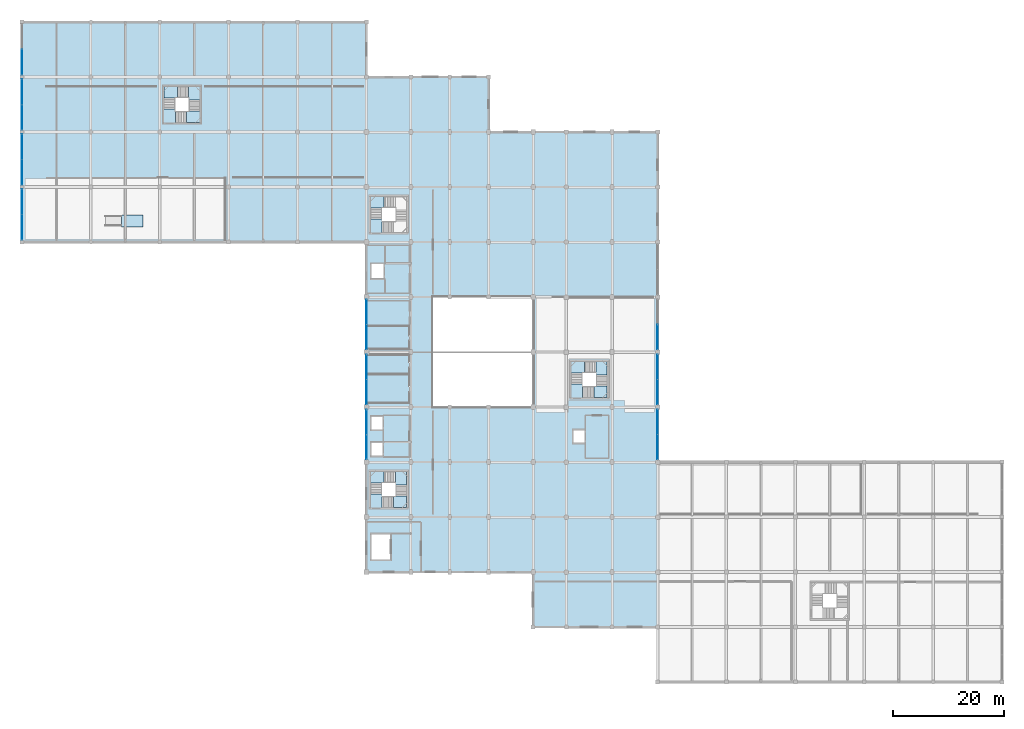
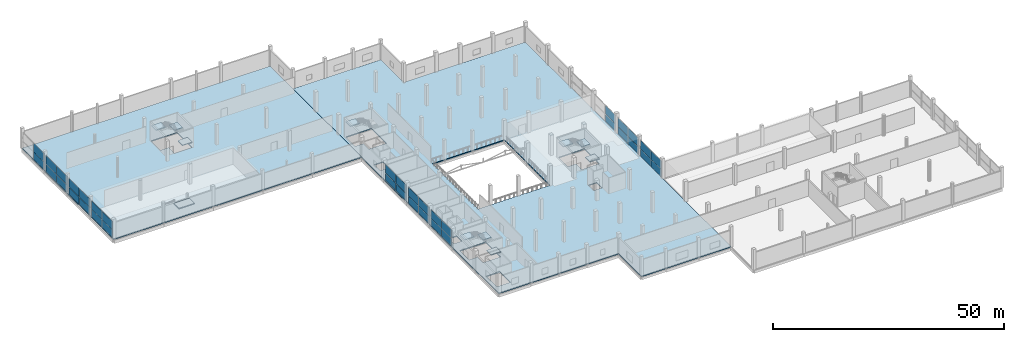
# One storey, part 41 of 74: 36 plates, 13 slabs, 14 elements without a shape of their own.
"""IFC4 building model written with IfcOpenShell, lengths in metres."""

from ifc_helpers import new_model, si_unit, direction, frame, origin, origin_2d, place, context, subcontext, project, spatial, polyline, rectangle, outline, extrude, material, layer, layer_set, type_object, element, aggregate, save


model = new_model("IFC4")

# Units and contexts
model_context = context("Model", 3, precision=1e-05, world=origin(), true_north=direction((0.0, 1.0)))
body_context = subcontext(model_context, "Body", "Model", "MODEL_VIEW")
ifc_project = project(units=[si_unit("LENGTHUNIT", "METRE"), si_unit("AREAUNIT", "SQUARE_METRE"), si_unit("VOLUMEUNIT", "CUBIC_METRE"), si_unit("PLANEANGLEUNIT", "RADIAN"), si_unit("MASSUNIT", "GRAM", prefix="KILO")], contexts=[model_context])

# Site, building, storey
site_placement = place(None, origin())
site = spatial("IfcSite", under=ifc_project, at=site_placement, CompositionType="ELEMENT")
building_placement = place(site_placement, origin())
building = spatial("IfcBuilding", under=site, at=building_placement, Name="Sillaruma Civic Art Gallery", CompositionType="ELEMENT")
storey_placement = place(building_placement, frame((0.0, 0.0, 5.43994140625)))
storey = spatial("IfcBuildingStorey", under=building, at=storey_placement, Name="L01", CompositionType="ELEMENT", Elevation=5.43994140625)

# Curtain wall, plates
ifc_material_1 = material(Name="Thermally Broken Extruded Aluminium 6063-T6", Category="aluminium")
ifc_layer_1 = layer(ifc_material_1, 0.139892578125, Name="Thermally Broken Extruded Aluminium 6063-T6")
ifc_layer_set_1 = layer_set([ifc_layer_1], Name="Thermally Broken Extruded Aluminium 6063-T6")
curtain_wall_type_1 = type_object("IfcCurtainWallType", Name="CW-UNI-08", PredefinedType="NOTDEFINED", material=ifc_layer_set_1)
curtain_wall_1_placement = place(storey_placement, origin())
curtain_wall_1 = element("IfcCurtainWall", 1, at=curtain_wall_1_placement, inside=storey, type_object=curtain_wall_type_1, Name="Unitised Curtain Wall CW-08 (CW-L01-WSTR-2)", PredefinedType="NOTDEFINED")
ifc_material_2 = material(Name="Low-E UV-Filtered Laminated Insulating Glass", Category="glass")
ifc_layer_2 = layer(ifc_material_2, 0.028076171875, Name="Low-E UV-Filtered Laminated Insulating Glass")
ifc_layer_set_2 = layer_set([ifc_layer_2], Name="Low-E UV-Filtered Laminated Insulating Glass")
plate_type_1 = type_object("IfcPlateType", Name="PNL-GLZ-28", PredefinedType="CURTAIN_PANEL", material=ifc_layer_set_2)
plate_1_placement = place(storey_placement, frame((0.0, 91.764892578125, 0.06005859375), z_axis=(0.0, 0.0, 1.0), x_axis=(0.0, 1.0, 0.0)))
plate_1 = element("IfcPlate", 2, at=plate_1_placement, type_object=plate_type_1, Name="CW-08 panel 1.1", PredefinedType="CURTAIN_PANEL", context=body_context, shape_type="SweptSolid", body=[
    extrude(rectangle(XDim=4.510009765625, YDim=0.028076171875, at=origin_2d()), origin(), (0.0, 0.0, 1.0), 1.93408203125),
])
plate_2_placement = place(storey_placement, frame((0.0, 91.764892578125, 2.05419921875), z_axis=(0.0, 0.0, 1.0), x_axis=(0.0, 1.0, 0.0)))
plate_2 = element("IfcPlate", 3, at=plate_2_placement, type_object=plate_type_1, Name="CW-08 panel 1.2", PredefinedType="CURTAIN_PANEL", context=body_context, shape_type="SweptSolid", body=[
    extrude(rectangle(XDim=4.510009765625, YDim=0.028076171875, at=origin_2d()), origin(), (0.0, 0.0, 1.0), 2.285888671875),
])
plate_3_placement = place(storey_placement, frame((0.0, 96.3349609375, 0.06005859375), z_axis=(0.0, 0.0, 1.0), x_axis=(0.0, 1.0, 0.0)))
plate_3 = element("IfcPlate", 4, at=plate_3_placement, type_object=plate_type_1, Name="CW-08 panel 2.1", PredefinedType="CURTAIN_PANEL", context=body_context, shape_type="SweptSolid", body=[
    extrude(rectangle(XDim=4.510009765625, YDim=0.028076171875, at=origin_2d()), origin(), (0.0, 0.0, 1.0), 1.93408203125),
])
plate_4_placement = place(storey_placement, frame((0.0, 96.3349609375, 2.05419921875), z_axis=(0.0, 0.0, 1.0), x_axis=(0.0, 1.0, 0.0)))
plate_4 = element("IfcPlate", 5, at=plate_4_placement, type_object=plate_type_1, Name="CW-08 panel 2.2", PredefinedType="CURTAIN_PANEL", context=body_context, shape_type="SweptSolid", body=[
    extrude(rectangle(XDim=4.510009765625, YDim=0.028076171875, at=origin_2d()), origin(), (0.0, 0.0, 1.0), 2.285888671875),
])
aggregate(curtain_wall_1, [plate_1, plate_2, plate_3, plate_4])

ifc_layer_3 = layer(ifc_material_1, 0.159912109375, Name="Thermally Broken Extruded Aluminium 6063-T6")
ifc_layer_set_3 = layer_set([ifc_layer_3], Name="Thermally Broken Extruded Aluminium 6063-T6")
curtain_wall_type_2 = type_object("IfcCurtainWallType", Name="CW-UNI-10", PredefinedType="NOTDEFINED", material=ifc_layer_set_3)
curtain_wall_2_placement = place(storey_placement, origin())
curtain_wall_2 = element("IfcCurtainWall", 6, at=curtain_wall_2_placement, inside=storey, type_object=curtain_wall_type_2, Name="Unitised Curtain Wall CW-10 (CW-L01-WSTR-4)", PredefinedType="NOTDEFINED")
ifc_layer_4 = layer(ifc_material_2, 0.030029296875, Name="Low-E UV-Filtered Laminated Insulating Glass")
ifc_layer_set_4 = layer_set([ifc_layer_4], Name="Low-E UV-Filtered Laminated Insulating Glass")
plate_type_2 = type_object("IfcPlateType", Name="PNL-GLZ-30", PredefinedType="CURTAIN_PANEL", material=ifc_layer_set_4)
plate_5_placement = place(storey_placement, frame((0.0, 111.566162109375, 0.06005859375), z_axis=(0.0, 0.0, 1.0), x_axis=(0.0, 1.0, 0.0)))
plate_5 = element("IfcPlate", 7, at=plate_5_placement, type_object=plate_type_2, Name="CW-10 panel 1.1", PredefinedType="CURTAIN_PANEL", context=body_context, shape_type="SweptSolid", body=[
    extrude(rectangle(XDim=4.50244140625, YDim=0.030029296875, at=origin_2d()), origin(), (0.0, 0.0, 1.0), 1.93408203125),
])
plate_6_placement = place(storey_placement, frame((0.0, 111.566162109375, 2.05419921875), z_axis=(0.0, 0.0, 1.0), x_axis=(0.0, 1.0, 0.0)))
plate_6 = element("IfcPlate", 8, at=plate_6_placement, type_object=plate_type_2, Name="CW-10 panel 1.2", PredefinedType="CURTAIN_PANEL", context=body_context, shape_type="SweptSolid", body=[
    extrude(rectangle(XDim=4.50244140625, YDim=0.030029296875, at=origin_2d()), origin(), (0.0, 0.0, 1.0), 2.285888671875),
])
aggregate(curtain_wall_2, [plate_5, plate_6])

ifc_layer_5 = layer(ifc_material_1, 0.159912109375, Name="Thermally Broken Extruded Aluminium 6063-T6")
ifc_layer_set_5 = layer_set([ifc_layer_5], Name="Thermally Broken Extruded Aluminium 6063-T6")
curtain_wall_type_3 = type_object("IfcCurtainWallType", Name="CW-UNI-14", PredefinedType="NOTDEFINED", material=ifc_layer_set_5)
curtain_wall_3_placement = place(storey_placement, origin())
curtain_wall_3 = element("IfcCurtainWall", 9, at=curtain_wall_3_placement, inside=storey, type_object=curtain_wall_type_3, Name="Unitised Curtain Wall CW-14 (CW-L01-SPE-3)", PredefinedType="NOTDEFINED")
plate_7_placement = place(storey_placement, frame((114.39990234375, 42.291259765625, 0.06005859375), z_axis=(0.0, 0.0, 1.0), x_axis=(0.0, 1.0, 0.0)))
plate_7 = element("IfcPlate", 10, at=plate_7_placement, type_object=plate_type_2, Name="CW-14 panel 1.1", PredefinedType="CURTAIN_PANEL", context=body_context, shape_type="SweptSolid", body=[
    extrude(rectangle(XDim=4.452392578125, YDim=0.030029296875, at=origin_2d()), origin(), (0.0, 0.0, 1.0), 1.93408203125),
])
plate_8_placement = place(storey_placement, frame((114.39990234375, 42.291259765625, 2.05419921875), z_axis=(0.0, 0.0, 1.0), x_axis=(0.0, 1.0, 0.0)))
plate_8 = element("IfcPlate", 11, at=plate_8_placement, type_object=plate_type_2, Name="CW-14 panel 1.2", PredefinedType="CURTAIN_PANEL", context=body_context, shape_type="SweptSolid", body=[
    extrude(rectangle(XDim=4.452392578125, YDim=0.030029296875, at=origin_2d()), origin(), (0.0, 0.0, 1.0), 2.285888671875),
])
plate_9_placement = place(storey_placement, frame((114.39990234375, 46.808837890625, 0.06005859375), z_axis=(0.0, 0.0, 1.0), x_axis=(0.0, 1.0, 0.0)))
plate_9 = element("IfcPlate", 12, at=plate_9_placement, type_object=plate_type_2, Name="CW-14 panel 2.1", PredefinedType="CURTAIN_PANEL", context=body_context, shape_type="SweptSolid", body=[
    extrude(rectangle(XDim=4.452392578125, YDim=0.030029296875, at=origin_2d()), origin(), (0.0, 0.0, 1.0), 1.93408203125),
])
plate_10_placement = place(storey_placement, frame((114.39990234375, 46.808837890625, 2.05419921875), z_axis=(0.0, 0.0, 1.0), x_axis=(0.0, 1.0, 0.0)))
plate_10 = element("IfcPlate", 13, at=plate_10_placement, type_object=plate_type_2, Name="CW-14 panel 2.2", PredefinedType="CURTAIN_PANEL", context=body_context, shape_type="SweptSolid", body=[
    extrude(rectangle(XDim=4.452392578125, YDim=0.030029296875, at=origin_2d()), origin(), (0.0, 0.0, 1.0), 2.285888671875),
])
aggregate(curtain_wall_3, [plate_7, plate_8, plate_9, plate_10])

curtain_wall_4_placement = place(storey_placement, origin())
curtain_wall_4 = element("IfcCurtainWall", 14, at=curtain_wall_4_placement, inside=storey, type_object=curtain_wall_type_3, Name="Unitised Curtain Wall CW-14 (CW-L01-SPW-4)", PredefinedType="NOTDEFINED")
plate_11_placement = place(storey_placement, frame((62.0, 52.203857421875, 0.06005859375), z_axis=(0.0, 0.0, 1.0), x_axis=(0.0, 1.0, 0.0)))
plate_11 = element("IfcPlate", 15, at=plate_11_placement, type_object=plate_type_2, Name="CW-14 panel 1.1", PredefinedType="CURTAIN_PANEL", context=body_context, shape_type="SweptSolid", body=[
    extrude(rectangle(XDim=4.427490234375, YDim=0.030029296875, at=origin_2d()), origin(), (0.0, 0.0, 1.0), 1.93408203125),
])
plate_12_placement = place(storey_placement, frame((62.0, 52.203857421875, 2.05419921875), z_axis=(0.0, 0.0, 1.0), x_axis=(0.0, 1.0, 0.0)))
plate_12 = element("IfcPlate", 16, at=plate_12_placement, type_object=plate_type_2, Name="CW-14 panel 1.2", PredefinedType="CURTAIN_PANEL", context=body_context, shape_type="SweptSolid", body=[
    extrude(rectangle(XDim=4.427490234375, YDim=0.030029296875, at=origin_2d()), origin(), (0.0, 0.0, 1.0), 2.285888671875),
])
plate_13_placement = place(storey_placement, frame((62.0, 56.6962890625, 0.06005859375), z_axis=(0.0, 0.0, 1.0), x_axis=(0.0, 1.0, 0.0)))
plate_13 = element("IfcPlate", 17, at=plate_13_placement, type_object=plate_type_2, Name="CW-14 panel 2.1", PredefinedType="CURTAIN_PANEL", context=body_context, shape_type="SweptSolid", body=[
    extrude(rectangle(XDim=4.427490234375, YDim=0.030029296875, at=origin_2d()), origin(), (0.0, 0.0, 1.0), 1.93408203125),
])
plate_14_placement = place(storey_placement, frame((62.0, 56.6962890625, 2.05419921875), z_axis=(0.0, 0.0, 1.0), x_axis=(0.0, 1.0, 0.0)))
plate_14 = element("IfcPlate", 18, at=plate_14_placement, type_object=plate_type_2, Name="CW-14 panel 2.2", PredefinedType="CURTAIN_PANEL", context=body_context, shape_type="SweptSolid", body=[
    extrude(rectangle(XDim=4.427490234375, YDim=0.030029296875, at=origin_2d()), origin(), (0.0, 0.0, 1.0), 2.285888671875),
])
aggregate(curtain_wall_4, [plate_11, plate_12, plate_13, plate_14])

ifc_layer_6 = layer(ifc_material_1, 0.159912109375, Name="Thermally Broken Extruded Aluminium 6063-T6")
ifc_layer_set_6 = layer_set([ifc_layer_6], Name="Thermally Broken Extruded Aluminium 6063-T6")
curtain_wall_type_4 = type_object("IfcCurtainWallType", Name="CW-UNI-07", PredefinedType="NOTDEFINED", material=ifc_layer_set_6)
curtain_wall_5_placement = place(storey_placement, origin())
curtain_wall_5 = element("IfcCurtainWall", 19, at=curtain_wall_5_placement, inside=storey, type_object=curtain_wall_type_4, Name="Unitised Curtain Wall CW-07 (CW-L01-WSTR-1)", PredefinedType="NOTDEFINED")
ifc_layer_7 = layer(ifc_material_2, 0.031982421875, Name="Low-E UV-Filtered Laminated Insulating Glass")
ifc_layer_set_7 = layer_set([ifc_layer_7], Name="Low-E UV-Filtered Laminated Insulating Glass")
plate_type_3 = type_object("IfcPlateType", Name="PNL-GLZ-32", PredefinedType="CURTAIN_PANEL", material=ifc_layer_set_7)
plate_15_placement = place(storey_placement, frame((0.0, 81.8662109375, 0.06494140625), z_axis=(0.0, 0.0, 1.0), x_axis=(0.0, 1.0, 0.0)))
plate_15 = element("IfcPlate", 20, at=plate_15_placement, type_object=plate_type_3, Name="CW-07 panel 1.1", PredefinedType="CURTAIN_PANEL", context=body_context, shape_type="SweptSolid", body=[
    extrude(rectangle(XDim=4.50244140625, YDim=0.031982421875, at=origin_2d()), origin(), (0.0, 0.0, 1.0), 1.926513671875),
])
plate_16_placement = place(storey_placement, frame((0.0, 81.8662109375, 2.056640625), z_axis=(0.0, 0.0, 1.0), x_axis=(0.0, 1.0, 0.0)))
plate_16 = element("IfcPlate", 21, at=plate_16_placement, type_object=plate_type_3, Name="CW-07 panel 1.2", PredefinedType="CURTAIN_PANEL", context=body_context, shape_type="SweptSolid", body=[
    extrude(rectangle(XDim=4.50244140625, YDim=0.031982421875, at=origin_2d()), origin(), (0.0, 0.0, 1.0), 2.278564453125),
])
plate_17_placement = place(storey_placement, frame((0.0, 86.433837890625, 0.06494140625), z_axis=(0.0, 0.0, 1.0), x_axis=(0.0, 1.0, 0.0)))
plate_17 = element("IfcPlate", 22, at=plate_17_placement, type_object=plate_type_3, Name="CW-07 panel 2.1", PredefinedType="CURTAIN_PANEL", context=body_context, shape_type="SweptSolid", body=[
    extrude(rectangle(XDim=4.50244140625, YDim=0.031982421875, at=origin_2d()), origin(), (0.0, 0.0, 1.0), 1.926513671875),
])
plate_18_placement = place(storey_placement, frame((0.0, 86.433837890625, 2.056640625), z_axis=(0.0, 0.0, 1.0), x_axis=(0.0, 1.0, 0.0)))
plate_18 = element("IfcPlate", 23, at=plate_18_placement, type_object=plate_type_3, Name="CW-07 panel 2.2", PredefinedType="CURTAIN_PANEL", context=body_context, shape_type="SweptSolid", body=[
    extrude(rectangle(XDim=4.50244140625, YDim=0.031982421875, at=origin_2d()), origin(), (0.0, 0.0, 1.0), 2.278564453125),
])
aggregate(curtain_wall_5, [plate_15, plate_16, plate_17, plate_18])

ifc_layer_8 = layer(ifc_material_1, 0.139892578125, Name="Thermally Broken Extruded Aluminium 6063-T6")
ifc_layer_set_8 = layer_set([ifc_layer_8], Name="Thermally Broken Extruded Aluminium 6063-T6")
curtain_wall_type_5 = type_object("IfcCurtainWallType", Name="CW-UNI-15", PredefinedType="NOTDEFINED", material=ifc_layer_set_8)
curtain_wall_6_placement = place(storey_placement, origin())
curtain_wall_6 = element("IfcCurtainWall", 24, at=curtain_wall_6_placement, inside=storey, type_object=curtain_wall_type_5, Name="Unitised Curtain Wall CW-15 (CW-L01-SPE-4)", PredefinedType="NOTDEFINED")
ifc_layer_9 = layer(ifc_material_2, 0.033935546875, Name="Low-E UV-Filtered Laminated Insulating Glass")
ifc_layer_set_9 = layer_set([ifc_layer_9], Name="Low-E UV-Filtered Laminated Insulating Glass")
plate_type_4 = type_object("IfcPlateType", Name="PNL-GLZ-34", PredefinedType="CURTAIN_PANEL", material=ifc_layer_set_9)
plate_19_placement = place(storey_placement, frame((114.39990234375, 52.18994140625, 0.06494140625), z_axis=(0.0, 0.0, 1.0), x_axis=(0.0, 1.0, 0.0)))
plate_19 = element("IfcPlate", 25, at=plate_19_placement, type_object=plate_type_4, Name="CW-15 panel 1.1", PredefinedType="CURTAIN_PANEL", context=body_context, shape_type="SweptSolid", body=[
    extrude(rectangle(XDim=4.4599609375, YDim=0.033935546875, at=origin_2d()), origin(), (0.0, 0.0, 1.0), 1.926513671875),
])
plate_20_placement = place(storey_placement, frame((114.39990234375, 52.18994140625, 2.056640625), z_axis=(0.0, 0.0, 1.0), x_axis=(0.0, 1.0, 0.0)))
plate_20 = element("IfcPlate", 26, at=plate_20_placement, type_object=plate_type_4, Name="CW-15 panel 1.2", PredefinedType="CURTAIN_PANEL", context=body_context, shape_type="SweptSolid", body=[
    extrude(rectangle(XDim=4.4599609375, YDim=0.033935546875, at=origin_2d()), origin(), (0.0, 0.0, 1.0), 2.278564453125),
])
plate_21_placement = place(storey_placement, frame((114.39990234375, 56.7099609375, 0.06494140625), z_axis=(0.0, 0.0, 1.0), x_axis=(0.0, 1.0, 0.0)))
plate_21 = element("IfcPlate", 27, at=plate_21_placement, type_object=plate_type_4, Name="CW-15 panel 2.1", PredefinedType="CURTAIN_PANEL", context=body_context, shape_type="SweptSolid", body=[
    extrude(rectangle(XDim=4.4599609375, YDim=0.033935546875, at=origin_2d()), origin(), (0.0, 0.0, 1.0), 1.926513671875),
])
plate_22_placement = place(storey_placement, frame((114.39990234375, 56.7099609375, 2.056640625), z_axis=(0.0, 0.0, 1.0), x_axis=(0.0, 1.0, 0.0)))
plate_22 = element("IfcPlate", 28, at=plate_22_placement, type_object=plate_type_4, Name="CW-15 panel 2.2", PredefinedType="CURTAIN_PANEL", context=body_context, shape_type="SweptSolid", body=[
    extrude(rectangle(XDim=4.4599609375, YDim=0.033935546875, at=origin_2d()), origin(), (0.0, 0.0, 1.0), 2.278564453125),
])
aggregate(curtain_wall_6, [plate_19, plate_20, plate_21, plate_22])

ifc_layer_10 = layer(ifc_material_1, 0.139892578125, Name="Thermally Broken Extruded Aluminium 6063-T6")
ifc_layer_set_10 = layer_set([ifc_layer_10], Name="Thermally Broken Extruded Aluminium 6063-T6")
curtain_wall_type_6 = type_object("IfcCurtainWallType", Name="CW-UNI-05", PredefinedType="NOTDEFINED", material=ifc_layer_set_10)
curtain_wall_7_placement = place(storey_placement, origin())
curtain_wall_7 = element("IfcCurtainWall", 29, at=curtain_wall_7_placement, inside=storey, type_object=curtain_wall_type_6, Name="Unitised Curtain Wall CW-05 (CW-L01-SPW-5)", PredefinedType="NOTDEFINED")
plate_23_placement = place(storey_placement, frame((62.0, 62.1025390625, 0.06494140625), z_axis=(0.0, 0.0, 1.0), x_axis=(0.0, 1.0, 0.0)))
plate_23 = element("IfcPlate", 30, at=plate_23_placement, type_object=plate_type_4, Name="CW-05 panel 1.1", PredefinedType="CURTAIN_PANEL", context=body_context, shape_type="SweptSolid", body=[
    extrude(rectangle(XDim=4.43505859375, YDim=0.033935546875, at=origin_2d()), origin(), (0.0, 0.0, 1.0), 1.926513671875),
])
plate_24_placement = place(storey_placement, frame((62.0, 62.1025390625, 2.056640625), z_axis=(0.0, 0.0, 1.0), x_axis=(0.0, 1.0, 0.0)))
plate_24 = element("IfcPlate", 31, at=plate_24_placement, type_object=plate_type_4, Name="CW-05 panel 1.2", PredefinedType="CURTAIN_PANEL", context=body_context, shape_type="SweptSolid", body=[
    extrude(rectangle(XDim=4.43505859375, YDim=0.033935546875, at=origin_2d()), origin(), (0.0, 0.0, 1.0), 2.278564453125),
])
plate_25_placement = place(storey_placement, frame((62.0, 66.597412109375, 0.06494140625), z_axis=(0.0, 0.0, 1.0), x_axis=(0.0, 1.0, 0.0)))
plate_25 = element("IfcPlate", 32, at=plate_25_placement, type_object=plate_type_4, Name="CW-05 panel 2.1", PredefinedType="CURTAIN_PANEL", context=body_context, shape_type="SweptSolid", body=[
    extrude(rectangle(XDim=4.43505859375, YDim=0.033935546875, at=origin_2d()), origin(), (0.0, 0.0, 1.0), 1.926513671875),
])
plate_26_placement = place(storey_placement, frame((62.0, 66.597412109375, 2.056640625), z_axis=(0.0, 0.0, 1.0), x_axis=(0.0, 1.0, 0.0)))
plate_26 = element("IfcPlate", 33, at=plate_26_placement, type_object=plate_type_4, Name="CW-05 panel 2.2", PredefinedType="CURTAIN_PANEL", context=body_context, shape_type="SweptSolid", body=[
    extrude(rectangle(XDim=4.43505859375, YDim=0.033935546875, at=origin_2d()), origin(), (0.0, 0.0, 1.0), 2.278564453125),
])
aggregate(curtain_wall_7, [plate_23, plate_24, plate_25, plate_26])

ifc_layer_11 = layer(ifc_material_1, 0.179931640625, Name="Thermally Broken Extruded Aluminium 6063-T6")
ifc_layer_set_11 = layer_set([ifc_layer_11], Name="Thermally Broken Extruded Aluminium 6063-T6")
curtain_wall_type_7 = type_object("IfcCurtainWallType", Name="CW-UNI-16", PredefinedType="NOTDEFINED", material=ifc_layer_set_11)
curtain_wall_8_placement = place(storey_placement, origin())
curtain_wall_8 = element("IfcCurtainWall", 34, at=curtain_wall_8_placement, inside=storey, type_object=curtain_wall_type_7, Name="Unitised Curtain Wall CW-16 (CW-L01-SPE-5)", PredefinedType="NOTDEFINED")
ifc_layer_12 = layer(ifc_material_2, 0.035888671875, Name="Low-E UV-Filtered Laminated Insulating Glass")
ifc_layer_set_12 = layer_set([ifc_layer_12], Name="Low-E UV-Filtered Laminated Insulating Glass")
plate_type_5 = type_object("IfcPlateType", Name="PNL-GLZ-36", PredefinedType="CURTAIN_PANEL", material=ifc_layer_set_12)
plate_27_placement = place(storey_placement, frame((114.39990234375, 62.092529296875, 0.070068359375), z_axis=(0.0, 0.0, 1.0), x_axis=(0.0, 1.0, 0.0)))
plate_27 = element("IfcPlate", 35, at=plate_27_placement, type_object=plate_type_5, Name="CW-16 panel 1.1", PredefinedType="CURTAIN_PANEL", context=body_context, shape_type="SweptSolid", body=[
    extrude(rectangle(XDim=4.445068359375, YDim=0.035888671875, at=origin_2d()), origin(), (0.0, 0.0, 1.0), 1.9189453125),
])
plate_28_placement = place(storey_placement, frame((114.39990234375, 62.092529296875, 2.05908203125), z_axis=(0.0, 0.0, 1.0), x_axis=(0.0, 1.0, 0.0)))
plate_28 = element("IfcPlate", 36, at=plate_28_placement, type_object=plate_type_5, Name="CW-16 panel 1.2", PredefinedType="CURTAIN_PANEL", context=body_context, shape_type="SweptSolid", body=[
    extrude(rectangle(XDim=4.445068359375, YDim=0.035888671875, at=origin_2d()), origin(), (0.0, 0.0, 1.0), 2.27099609375),
])
aggregate(curtain_wall_8, [plate_27, plate_28])

ifc_layer_13 = layer(ifc_material_1, 0.179931640625, Name="Thermally Broken Extruded Aluminium 6063-T6")
ifc_layer_set_13 = layer_set([ifc_layer_13], Name="Thermally Broken Extruded Aluminium 6063-T6")
curtain_wall_type_8 = type_object("IfcCurtainWallType", Name="CW-UNI-09", PredefinedType="NOTDEFINED", material=ifc_layer_set_13)
curtain_wall_9_placement = place(storey_placement, origin())
curtain_wall_9 = element("IfcCurtainWall", 37, at=curtain_wall_9_placement, inside=storey, type_object=curtain_wall_type_8, Name="Unitised Curtain Wall CW-09 (CW-L01-WSTR-3)", PredefinedType="NOTDEFINED")
ifc_layer_14 = layer(ifc_material_2, 0.0400390625, Name="Low-E UV-Filtered Laminated Insulating Glass")
ifc_layer_set_14 = layer_set([ifc_layer_14], Name="Low-E UV-Filtered Laminated Insulating Glass")
plate_type_6 = type_object("IfcPlateType", Name="PNL-GLZ-40", PredefinedType="CURTAIN_PANEL", material=ifc_layer_set_14)
plate_29_placement = place(storey_placement, frame((0.0, 101.66748046875, 0.06494140625), z_axis=(0.0, 0.0, 1.0), x_axis=(0.0, 1.0, 0.0)))
plate_29 = element("IfcPlate", 38, at=plate_29_placement, type_object=plate_type_6, Name="CW-09 panel 1.1", PredefinedType="CURTAIN_PANEL", context=body_context, shape_type="SweptSolid", body=[
    extrude(rectangle(XDim=4.4951171875, YDim=0.0400390625, at=origin_2d()), origin(), (0.0, 0.0, 1.0), 1.926513671875),
])
plate_30_placement = place(storey_placement, frame((0.0, 101.66748046875, 2.056640625), z_axis=(0.0, 0.0, 1.0), x_axis=(0.0, 1.0, 0.0)))
plate_30 = element("IfcPlate", 39, at=plate_30_placement, type_object=plate_type_6, Name="CW-09 panel 1.2", PredefinedType="CURTAIN_PANEL", context=body_context, shape_type="SweptSolid", body=[
    extrude(rectangle(XDim=4.4951171875, YDim=0.0400390625, at=origin_2d()), origin(), (0.0, 0.0, 1.0), 2.278564453125),
])
plate_31_placement = place(storey_placement, frame((0.0, 106.232421875, 0.06494140625), z_axis=(0.0, 0.0, 1.0), x_axis=(0.0, 1.0, 0.0)))
plate_31 = element("IfcPlate", 40, at=plate_31_placement, type_object=plate_type_6, Name="CW-09 panel 2.1", PredefinedType="CURTAIN_PANEL", context=body_context, shape_type="SweptSolid", body=[
    extrude(rectangle(XDim=4.4951171875, YDim=0.0400390625, at=origin_2d()), origin(), (0.0, 0.0, 1.0), 1.926513671875),
])
plate_32_placement = place(storey_placement, frame((0.0, 106.232421875, 2.056640625), z_axis=(0.0, 0.0, 1.0), x_axis=(0.0, 1.0, 0.0)))
plate_32 = element("IfcPlate", 41, at=plate_32_placement, type_object=plate_type_6, Name="CW-09 panel 2.2", PredefinedType="CURTAIN_PANEL", context=body_context, shape_type="SweptSolid", body=[
    extrude(rectangle(XDim=4.4951171875, YDim=0.0400390625, at=origin_2d()), origin(), (0.0, 0.0, 1.0), 2.278564453125),
])
aggregate(curtain_wall_9, [plate_29, plate_30, plate_31, plate_32])

ifc_layer_15 = layer(ifc_material_1, 0.179931640625, Name="Thermally Broken Extruded Aluminium 6063-T6")
ifc_layer_set_15 = layer_set([ifc_layer_15], Name="Thermally Broken Extruded Aluminium 6063-T6")
curtain_wall_type_9 = type_object("IfcCurtainWallType", Name="CW-UNI-13", PredefinedType="NOTDEFINED", material=ifc_layer_set_15)
curtain_wall_10_placement = place(storey_placement, origin())
curtain_wall_10 = element("IfcCurtainWall", 42, at=curtain_wall_10_placement, inside=storey, type_object=curtain_wall_type_9, Name="Unitised Curtain Wall CW-13 (CW-L01-SPW-3)", PredefinedType="NOTDEFINED")
plate_33_placement = place(storey_placement, frame((62.0, 42.304931640625, 0.06494140625), z_axis=(0.0, 0.0, 1.0), x_axis=(0.0, 1.0, 0.0)))
plate_33 = element("IfcPlate", 43, at=plate_33_placement, type_object=plate_type_6, Name="CW-13 panel 1.1", PredefinedType="CURTAIN_PANEL", context=body_context, shape_type="SweptSolid", body=[
    extrude(rectangle(XDim=4.419921875, YDim=0.0400390625, at=origin_2d()), origin(), (0.0, 0.0, 1.0), 1.926513671875),
])
plate_34_placement = place(storey_placement, frame((62.0, 42.304931640625, 2.056640625), z_axis=(0.0, 0.0, 1.0), x_axis=(0.0, 1.0, 0.0)))
plate_34 = element("IfcPlate", 44, at=plate_34_placement, type_object=plate_type_6, Name="CW-13 panel 1.2", PredefinedType="CURTAIN_PANEL", context=body_context, shape_type="SweptSolid", body=[
    extrude(rectangle(XDim=4.419921875, YDim=0.0400390625, at=origin_2d()), origin(), (0.0, 0.0, 1.0), 2.278564453125),
])
plate_35_placement = place(storey_placement, frame((62.0, 46.794921875, 0.06494140625), z_axis=(0.0, 0.0, 1.0), x_axis=(0.0, 1.0, 0.0)))
plate_35 = element("IfcPlate", 45, at=plate_35_placement, type_object=plate_type_6, Name="CW-13 panel 2.1", PredefinedType="CURTAIN_PANEL", context=body_context, shape_type="SweptSolid", body=[
    extrude(rectangle(XDim=4.419921875, YDim=0.0400390625, at=origin_2d()), origin(), (0.0, 0.0, 1.0), 1.926513671875),
])
plate_36_placement = place(storey_placement, frame((62.0, 46.794921875, 2.056640625), z_axis=(0.0, 0.0, 1.0), x_axis=(0.0, 1.0, 0.0)))
plate_36 = element("IfcPlate", 46, at=plate_36_placement, type_object=plate_type_6, Name="CW-13 panel 2.2", PredefinedType="CURTAIN_PANEL", context=body_context, shape_type="SweptSolid", body=[
    extrude(rectangle(XDim=4.419921875, YDim=0.0400390625, at=origin_2d()), origin(), (0.0, 0.0, 1.0), 2.278564453125),
])
aggregate(curtain_wall_10, [plate_33, plate_34, plate_35, plate_36])

# Slabs
ifc_material_3 = material(Name="Concrete H35 (35 MPa)", Category="concrete")
ifc_layer_16 = layer(ifc_material_3, 0.260009765625, Name="Concrete H35 (35 MPa)")
ifc_layer_set_16 = layer_set([ifc_layer_16], Name="Concrete H35 (35 MPa)")
slab_type_1 = type_object("IfcSlabType", Name="SLB-FLR-260", PredefinedType="FLOOR", material=ifc_layer_set_16)
slab_1_placement = place(storey_placement, frame((0.0, 0.0, -0.260009765625)))
element("IfcSlab", 47, at=slab_1_placement, inside=storey, type_object=slab_type_1, Name="Floor Slab SF-260 (SLB-L01-WEST)", PredefinedType="FLOOR", context=body_context, shape_type="SweptSolid", body=[
    extrude(outline(polyline([(0.0, 79.199951171875), (62.0, 79.199951171875), (62.0, 118.800048828125), (0.0, 118.800048828125), (0.0, 79.199951171875)]), holes=[polyline([(27.614990234375, 100.699951171875), (32.0400390625, 100.699951171875), (32.0400390625, 107.179931640625), (25.56005859375, 107.179931640625), (25.56005859375, 103.125), (27.614990234375, 103.125), (27.614990234375, 100.699951171875)])]), origin(), (0.0, 0.0, 1.0), 0.260009765625),
])
slab_2_placement = place(storey_placement, frame((0.0, 0.0, -0.260009765625)))
element("IfcSlab", 48, at=slab_2_placement, inside=storey, type_object=slab_type_1, Name="Floor Slab SF-260 (SLB-L01-CENT)", PredefinedType="FLOOR", context=body_context, shape_type="SweptSolid", body=[
    extrude(outline(polyline([(92.0, 9.89990234375), (114.39990234375, 9.89990234375), (114.39990234375, 99.0), (84.0, 99.0), (84.0, 108.89990234375), (62.0, 108.89990234375), (62.0, 19.800048828125), (92.0, 19.800048828125), (92.0, 9.89990234375)]), holes=[polyline([(74.0, 49.5), (92.0, 49.5), (92.0, 69.300048828125), (74.0, 69.300048828125), (74.0, 49.5)]), polyline([(64.81494140625, 80.909912109375), (69.239990234375, 80.909912109375), (69.239990234375, 87.389892578125), (62.760009765625, 87.389892578125), (62.760009765625, 83.3349609375), (64.81494140625, 83.3349609375), (64.81494140625, 80.909912109375)]), polyline([(64.81494140625, 31.409912109375), (69.239990234375, 31.409912109375), (69.239990234375, 37.889892578125), (62.760009765625, 37.889892578125), (62.760009765625, 33.8349609375), (64.81494140625, 33.8349609375), (64.81494140625, 31.409912109375)]), polyline([(100.9150390625, 51.2099609375), (105.340087890625, 51.2099609375), (105.340087890625, 57.68994140625), (98.860107421875, 57.68994140625), (98.860107421875, 53.635009765625), (100.9150390625, 53.635009765625), (100.9150390625, 51.2099609375)]), polyline([(62.89990234375, 40.75), (64.89990234375, 40.75), (64.89990234375, 43.050048828125), (62.89990234375, 43.050048828125), (62.89990234375, 40.75)]), polyline([(62.89990234375, 45.449951171875), (64.89990234375, 45.449951171875), (64.89990234375, 47.75), (62.89990234375, 47.75), (62.89990234375, 45.449951171875)]), polyline([(99.25, 43.050048828125), (101.25, 43.050048828125), (101.25, 45.35009765625), (99.25, 45.35009765625), (99.25, 43.050048828125)]), polyline([(62.89990234375, 72.64990234375), (65.10009765625, 72.64990234375), (65.10009765625, 75.25), (62.89990234375, 75.25), (62.89990234375, 72.64990234375)]), polyline([(62.89990234375, 22.050048828125), (66.300048828125, 22.050048828125), (66.300048828125, 26.64990234375), (62.89990234375, 26.64990234375), (62.89990234375, 22.050048828125)])]), origin(), (0.0, 0.0, 1.0), 0.260009765625),
])

# Stair, slabs
stair_type = type_object("IfcStairType", Name="STR-4F-32", PredefinedType="USERDEFINED", material=ifc_material_3)
stair_1_placement = place(storey_placement, origin())
stair_1 = element("IfcStair", 49, at=stair_1_placement, inside=storey, type_object=stair_type, Name="Protected Exit Stair ST-01 (West Wing) (L01)", ObjectType="THREE_RETURN_STAIR", PredefinedType="USERDEFINED")
ifc_layer_17 = layer(ifc_material_3, 0.199951171875, Name="Concrete H35 (35 MPa)")
ifc_layer_set_17 = layer_set([ifc_layer_17], Name="Concrete H35 (35 MPa)")
slab_type_2 = type_object("IfcSlabType", Name="SLB-LND-200", PredefinedType="LANDING", material=ifc_layer_set_17)
slab_3_placement = place(storey_placement, frame((0.0, 0.0, 1.16015625)))
slab_3 = element("IfcSlab", 50, at=slab_3_placement, type_object=slab_type_2, Name="ST-01 landing 1", PredefinedType="LANDING", context=body_context, shape_type="SweptSolid", body=[
    extrude(outline(polyline([(29.6298828125, 100.699951171875), (32.0400390625, 100.699951171875), (32.0400390625, 102.739990234375), (29.6298828125, 102.739990234375), (29.6298828125, 100.699951171875)])), origin(), (0.0, 0.0, 1.0), 0.199951171875),
])
slab_4_placement = place(storey_placement, frame((0.0, 0.0, 2.52001953125)))
slab_4 = element("IfcSlab", 51, at=slab_4_placement, type_object=slab_type_2, Name="ST-01 landing 2", PredefinedType="LANDING", context=body_context, shape_type="SweptSolid", body=[
    extrude(outline(polyline([(30.0, 104.77001953125), (32.0400390625, 104.77001953125), (32.0400390625, 107.179931640625), (30.0, 107.179931640625), (30.0, 104.77001953125)])), origin(), (0.0, 0.0, 1.0), 0.199951171875),
])
slab_5_placement = place(storey_placement, frame((0.0, 0.0, 3.880126953125)))
slab_5 = element("IfcSlab", 52, at=slab_5_placement, type_object=slab_type_2, Name="ST-01 landing 3", PredefinedType="LANDING", context=body_context, shape_type="SweptSolid", body=[
    extrude(outline(polyline([(25.56005859375, 105.139892578125), (27.969970703125, 105.139892578125), (27.969970703125, 107.179931640625), (25.56005859375, 107.179931640625), (25.56005859375, 105.139892578125)])), origin(), (0.0, 0.0, 1.0), 0.199951171875),
])
aggregate(stair_1, [slab_3, slab_4, slab_5])

# Stair, slab
stair_2_placement = place(storey_placement, origin())
stair_2 = element("IfcStair", 53, at=stair_2_placement, inside=storey, type_object=stair_type, Name="Protected Exit Stair ST-02 (West Bar North) (L01)", ObjectType="THREE_RETURN_STAIR", PredefinedType="USERDEFINED")
slab_6_placement = place(storey_placement, frame((0.0, 0.0, 3.880126953125)))
slab_6 = element("IfcSlab", 54, at=slab_6_placement, type_object=slab_type_2, Name="ST-02 landing 3", PredefinedType="LANDING", context=body_context, shape_type="SweptSolid", body=[
    extrude(outline(polyline([(62.760009765625, 85.35009765625), (65.169921875, 85.35009765625), (65.169921875, 87.389892578125), (62.760009765625, 87.389892578125), (62.760009765625, 85.35009765625)])), origin(), (0.0, 0.0, 1.0), 0.199951171875),
])
aggregate(stair_2, [slab_6])

# Stair, slabs
stair_3_placement = place(storey_placement, origin())
stair_3 = element("IfcStair", 55, at=stair_3_placement, inside=storey, type_object=stair_type, Name="Protected Exit Stair ST-03 (West Bar South) (L01)", ObjectType="THREE_RETURN_STAIR", PredefinedType="USERDEFINED")
slab_7_placement = place(storey_placement, frame((0.0, 0.0, 1.16015625)))
slab_7 = element("IfcSlab", 56, at=slab_7_placement, type_object=slab_type_2, Name="ST-03 landing 1", PredefinedType="LANDING", context=body_context, shape_type="SweptSolid", body=[
    extrude(outline(polyline([(66.830078125, 31.409912109375), (69.239990234375, 31.409912109375), (69.239990234375, 33.449951171875), (66.830078125, 33.449951171875), (66.830078125, 31.409912109375)])), origin(), (0.0, 0.0, 1.0), 0.199951171875),
])
slab_8_placement = place(storey_placement, frame((0.0, 0.0, 2.52001953125)))
slab_8 = element("IfcSlab", 57, at=slab_8_placement, type_object=slab_type_2, Name="ST-03 landing 2", PredefinedType="LANDING", context=body_context, shape_type="SweptSolid", body=[
    extrude(outline(polyline([(67.199951171875, 35.47998046875), (69.239990234375, 35.47998046875), (69.239990234375, 37.889892578125), (67.199951171875, 37.889892578125), (67.199951171875, 35.47998046875)])), origin(), (0.0, 0.0, 1.0), 0.199951171875),
])
slab_9_placement = place(storey_placement, frame((0.0, 0.0, 3.880126953125)))
slab_9 = element("IfcSlab", 58, at=slab_9_placement, type_object=slab_type_2, Name="ST-03 landing 3", PredefinedType="LANDING", context=body_context, shape_type="SweptSolid", body=[
    extrude(outline(polyline([(62.760009765625, 35.85009765625), (65.169921875, 35.85009765625), (65.169921875, 37.889892578125), (62.760009765625, 37.889892578125), (62.760009765625, 35.85009765625)])), origin(), (0.0, 0.0, 1.0), 0.199951171875),
])
aggregate(stair_3, [slab_7, slab_8, slab_9])

stair_4_placement = place(storey_placement, origin())
stair_4 = element("IfcStair", 59, at=stair_4_placement, inside=storey, type_object=stair_type, Name="Protected Exit Stair ST-04 (East Bar) (L01)", ObjectType="THREE_RETURN_STAIR", PredefinedType="USERDEFINED")
slab_10_placement = place(storey_placement, frame((0.0, 0.0, 1.16015625)))
slab_10 = element("IfcSlab", 60, at=slab_10_placement, type_object=slab_type_2, Name="ST-04 landing 1", PredefinedType="LANDING", context=body_context, shape_type="SweptSolid", body=[
    extrude(outline(polyline([(102.929931640625, 51.2099609375), (105.340087890625, 51.2099609375), (105.340087890625, 53.25), (102.929931640625, 53.25), (102.929931640625, 51.2099609375)])), origin(), (0.0, 0.0, 1.0), 0.199951171875),
])
slab_11_placement = place(storey_placement, frame((0.0, 0.0, 2.52001953125)))
slab_11 = element("IfcSlab", 61, at=slab_11_placement, type_object=slab_type_2, Name="ST-04 landing 2", PredefinedType="LANDING", context=body_context, shape_type="SweptSolid", body=[
    extrude(outline(polyline([(103.300048828125, 55.280029296875), (105.340087890625, 55.280029296875), (105.340087890625, 57.68994140625), (103.300048828125, 57.68994140625), (103.300048828125, 55.280029296875)])), origin(), (0.0, 0.0, 1.0), 0.199951171875),
])
slab_12_placement = place(storey_placement, frame((0.0, 0.0, 3.880126953125)))
slab_12 = element("IfcSlab", 62, at=slab_12_placement, type_object=slab_type_2, Name="ST-04 landing 3", PredefinedType="LANDING", context=body_context, shape_type="SweptSolid", body=[
    extrude(outline(polyline([(98.860107421875, 55.64990234375), (101.27001953125, 55.64990234375), (101.27001953125, 57.68994140625), (98.860107421875, 57.68994140625), (98.860107421875, 55.64990234375)])), origin(), (0.0, 0.0, 1.0), 0.199951171875),
])
aggregate(stair_4, [slab_10, slab_11, slab_12])

# Slab
ifc_layer_18 = layer(ifc_material_3, 0.179931640625, Name="Concrete H35 (35 MPa)")
ifc_layer_set_18 = layer_set([ifc_layer_18], Name="Concrete H35 (35 MPa)")
slab_type_3 = type_object("IfcSlabType", Name="SLB-PLN-180", PredefinedType="FLOOR", material=ifc_layer_set_18)
slab_13_placement = place(storey_placement, origin())
element("IfcSlab", 63, at=slab_13_placement, inside=storey, type_object=slab_type_3, Name="Gallery Accessible Plinth Deck (RMP-G01)", PredefinedType="FLOOR", context=body_context, shape_type="SweptSolid", body=[
    extrude(outline(polyline([(17.8798828125, 81.89990234375), (21.800048828125, 81.89990234375), (21.800048828125, 84.10009765625), (17.8798828125, 84.10009765625), (17.8798828125, 81.89990234375)])), origin(), (0.0, 0.0, 1.0), 0.18017578125),
])

save(model, "model.ifc")
